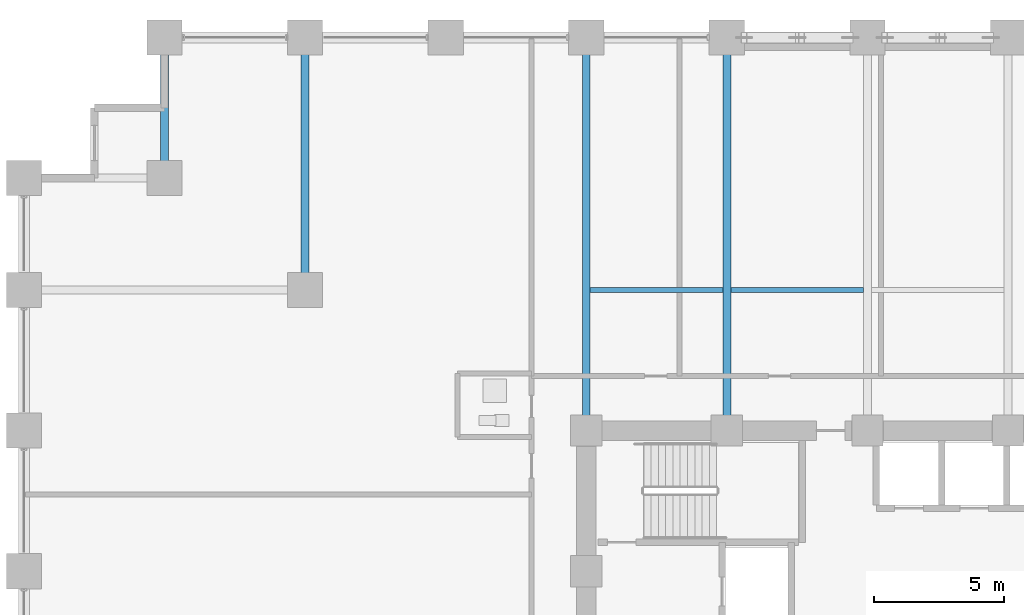
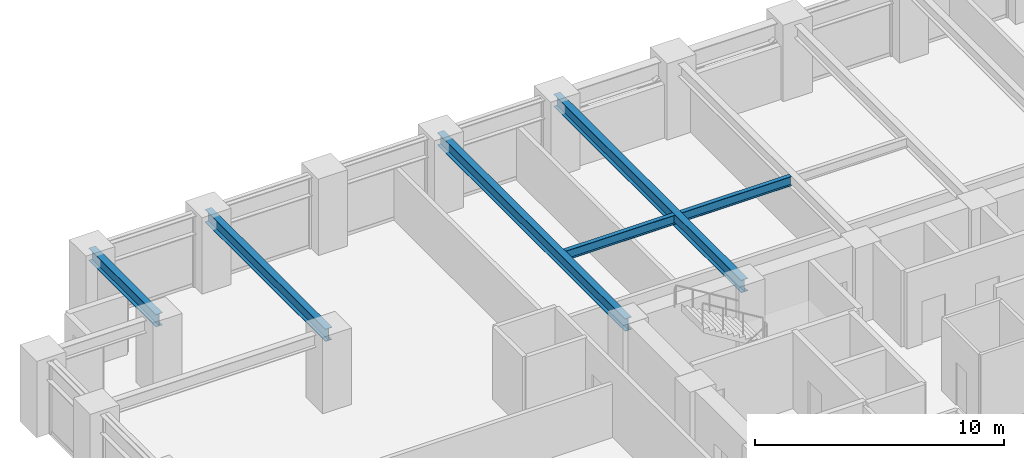
# One storey, part 11 of 24: 6 beams.
"""IFC4 building model written with IfcOpenShell, lengths in metres."""

from ifc_helpers import new_model, si_unit, direction, frame, origin, origin_2d, place, context, subcontext, project, spatial, i_section, extrude, material, material_profile, profile_set, type_object, element, save


model = new_model("IFC4")

# Units and contexts
model_context = context("Model", 3, precision=1e-05, world=origin(), true_north=direction((0.0, 1.0)))
body_context = subcontext(model_context, "Body", "Model", "MODEL_VIEW")
ifc_project = project(units=[si_unit("LENGTHUNIT", "METRE"), si_unit("AREAUNIT", "SQUARE_METRE"), si_unit("VOLUMEUNIT", "CUBIC_METRE"), si_unit("PLANEANGLEUNIT", "RADIAN"), si_unit("MASSUNIT", "GRAM", prefix="KILO")], contexts=[model_context])

# Site, building, storey
site_placement = place(None, origin())
site = spatial("IfcSite", under=ifc_project, at=site_placement, CompositionType="ELEMENT")
building_placement = place(site_placement, origin())
building = spatial("IfcBuilding", under=site, at=building_placement, Name="Surkhivell Harbour Commons", CompositionType="ELEMENT")
storey_placement = place(building_placement, frame((0.0, 0.0, 26.25)))
storey = spatial("IfcBuildingStorey", under=building, at=storey_placement, Name="L06", CompositionType="ELEMENT", Elevation=26.25)

# Beams
ifc_material = material(Name="Steel S355", Category="steel")
ifc_material_profile_1 = material_profile(ifc_material, i_section(OverallWidth=0.306884765625, OverallDepth=0.6201171875, WebThickness=0.01416015625, FlangeThickness=0.023681640625, at=origin_2d()), Name="UB610x305x179")
ifc_profile_set_1 = profile_set([ifc_material_profile_1], Name="Steel S355")
beam_type_1 = type_object("IfcBeamType", Name="BM-GRD-610A", PredefinedType="BEAM", material=ifc_profile_set_1)
beam_1_placement = place(storey_placement, frame((-27.0, 20.5, 3.260009765625), z_axis=(0.0, 1.0, 0.0), x_axis=(-1.0, 0.0, 0.0)))
element("IfcBeam", 1, at=beam_1_placement, inside=storey, type_object=beam_type_1, Name="L06 Floor Girder (-27.0,20.5)", PredefinedType="BEAM", context=body_context, shape_type="SweptSolid", body=[
    extrude(i_section(OverallWidth=0.306884765625, OverallDepth=0.6201171875, WebThickness=0.01416015625, FlangeThickness=0.023681640625, at=origin_2d()), origin(), (0.0, 0.0, 1.0), 5.39990234375),
])
beam_2_placement = place(storey_placement, frame((-21.60009765625, 16.199951171875, 3.260009765625), z_axis=(0.0, 1.0, 0.0), x_axis=(-1.0, 0.0, 0.0)))
element("IfcBeam", 2, at=beam_2_placement, inside=storey, type_object=beam_type_1, Name="L06 Floor Girder (-21.6,16.2)", PredefinedType="BEAM", context=body_context, shape_type="SweptSolid", body=[
    extrude(i_section(OverallWidth=0.306884765625, OverallDepth=0.6201171875, WebThickness=0.01416015625, FlangeThickness=0.023681640625, at=origin_2d()), origin(), (0.0, 0.0, 1.0), 9.699951171875),
])
for number, where, z_axis, x_axis, name in (
    (3, (-10.800048828125, 10.800048828125, 3.260009765625), (0.0, 1.0, 0.0), (-1.0, 0.0, 0.0), "L06 Floor Girder (-10.8,10.8)"),
    (4, (-5.39990234375, 10.800048828125, 3.260009765625), (0.0, 1.0, 0.0), (-1.0, 0.0, 0.0), "L06 Floor Girder (-5.4,10.8)"),
):
    element("IfcBeam", number, at=place(storey_placement, frame(where, z_axis=z_axis, x_axis=x_axis)), inside=storey, type_object=beam_type_1, Name=name, PredefinedType="BEAM", context=body_context, shape_type="SweptSolid", body=[
        extrude(i_section(OverallWidth=0.306884765625, OverallDepth=0.6201171875, WebThickness=0.01416015625, FlangeThickness=0.023681640625, at=origin_2d()), origin(), (0.0, 0.0, 1.0), 15.099853515625),
    ])
ifc_material_profile_2 = material_profile(ifc_material, i_section(OverallWidth=0.19189453125, OverallDepth=0.462890625, WebThickness=0.010498046875, FlangeThickness=0.017578125, at=origin_2d()), Name="UB457x191x89")
ifc_profile_set_2 = profile_set([ifc_material_profile_2], Name="Steel S355")
beam_type_2 = type_object("IfcBeamType", Name="BM-JST-457A", PredefinedType="JOIST", material=ifc_profile_set_2)
for number, where, z_axis, x_axis, name in (
    (5, (-10.6484375, 16.199951171875, 3.33837890625), (1.0, 0.0, 0.0), (0.0, 1.0, 0.0), "L06 North Composite Joist (-10.8)"),
    (6, (-5.24853515625, 16.199951171875, 3.33837890625), (1.0, 0.0, 0.0), (0.0, 1.0, 0.0), "L06 North Composite Joist (-5.4)"),
):
    element("IfcBeam", number, at=place(storey_placement, frame(where, z_axis=z_axis, x_axis=x_axis)), inside=storey, type_object=beam_type_2, Name=name, PredefinedType="JOIST", context=body_context, shape_type="SweptSolid", body=[
        extrude(i_section(OverallWidth=0.19189453125, OverallDepth=0.462890625, WebThickness=0.010498046875, FlangeThickness=0.017578125, at=origin_2d()), origin(), (0.0, 0.0, 1.0), 5.096923828125),
    ])

save(model, "model.ifc")
